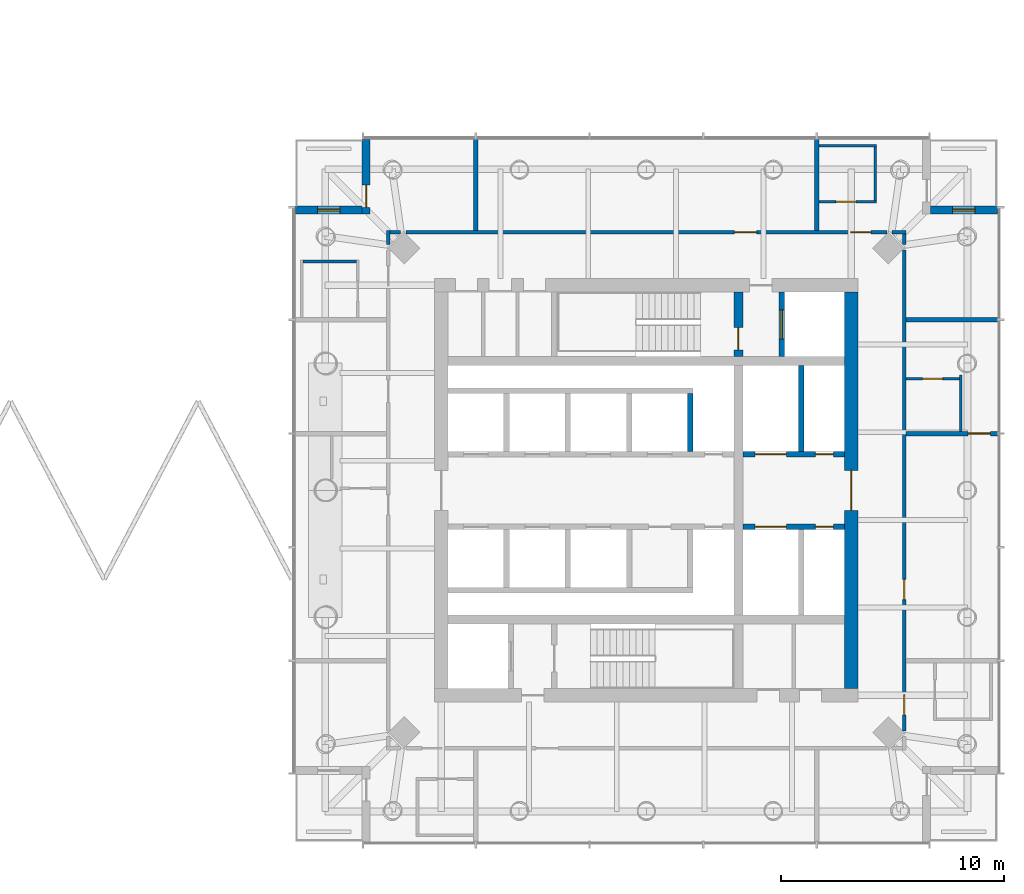
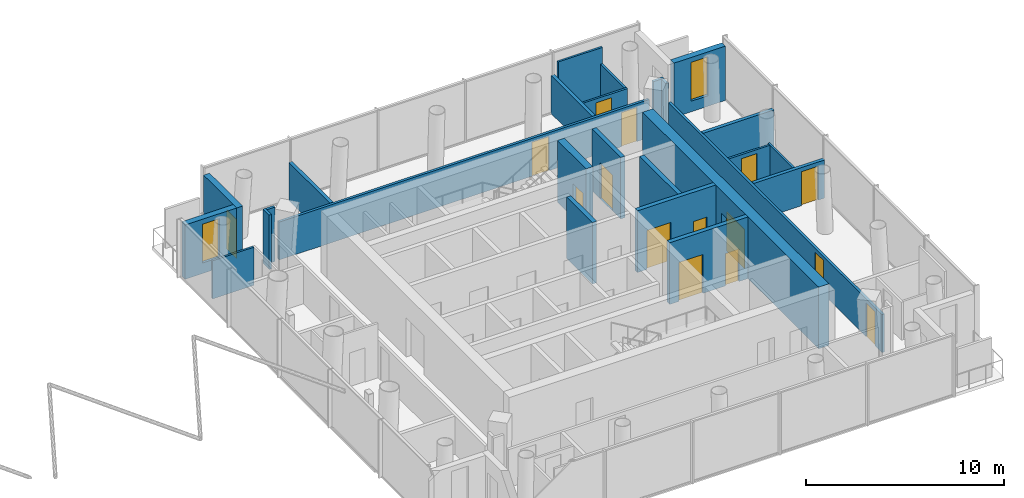
# One storey, part 15 of 19: 26 walls, 15 doors, 2 windows, 17 openings.
"""IFC4 building model written with IfcOpenShell, lengths in metres."""

import ifcopenshell
import ifcopenshell.guid

model = None  # the IFC model being written
_history = None  # IfcOwnerHistory: only IFC2X3 demands one
_inside = {}  # id of a spatial element -> (the spatial element, [elements in it])
_under = {}  # id of a project, library or spatial element -> (it, [spatial elements below it])
_declared = {}  # id of a project -> (the project, [libraries it declares])
_typed = {}  # id of a type object -> (the type object, [elements of that type])
_made_of = {}  # id of a material, layer set ... -> (it, [elements and type objects made of it])


def new_model(schema):
    """Start an empty IFC model of exactly this schema.

    Asked for "IFC4X3", IfcOpenShell would pick the latest addendum, in which some entities
    have other attributes; the version numbers below select the first issue.
    IFC2X3 requires an IfcOwnerHistory on every rooted entity: one is made here for all.
    """
    global model, _history
    if schema == "IFC4X3":
        model = ifcopenshell.file(schema_version=(4, 3, 0, 0))
    else:
        model = ifcopenshell.file(schema=schema)
    _inside.clear()
    _under.clear()
    _declared.clear()
    _typed.clear()
    _made_of.clear()
    _history = None
    if model.schema == "IFC2X3":
        org = make("IfcOrganization", Name="unknown")
        user = make(
            "IfcPersonAndOrganization",
            ThePerson=make("IfcPerson", FamilyName="unknown"),
            TheOrganization=org,
        )
        app = make(
            "IfcApplication",
            ApplicationDeveloper=org,
            Version="unknown",
            ApplicationFullName="unknown",
            ApplicationIdentifier="unknown",
        )
        _history = make(
            "IfcOwnerHistory",
            OwningUser=user,
            OwningApplication=app,
            ChangeAction="ADDED",
            CreationDate=0,
        )
    return model


def make(cls, **values):
    """One entity of the class cls with the attributes given. An attribute that is None is left unset."""
    return model.create_entity(
        cls, **{name: value for name, value in values.items() if value is not None}
    )


def rooted(cls, **values):
    """An entity with a GlobalId (a new one), such as an element, a storey or a relation."""
    return make(cls, GlobalId=ifcopenshell.guid.new(), OwnerHistory=_history, **values)


def si_unit(unit_type, name, prefix=None):
    """IfcSIUnit, for example si_unit("LENGTHUNIT", "METRE", prefix="MILLI")."""
    return make("IfcSIUnit", UnitType=unit_type, Prefix=prefix, Name=name)


def assignment(units):
    """IfcUnitAssignment: the units of a project."""
    return None if units is None else make("IfcUnitAssignment", Units=units)


def point(xyz):
    """IfcCartesianPoint."""
    return None if xyz is None else make("IfcCartesianPoint", Coordinates=xyz)


def direction(xyz):
    """IfcDirection."""
    return None if xyz is None else make("IfcDirection", DirectionRatios=xyz)


def frame(location, z_axis=None, x_axis=None):
    """IfcAxis2Placement3D, a coordinate frame: its origin and axes. An axis left out is left unset."""
    return make(
        "IfcAxis2Placement3D",
        Location=point(location),
        Axis=direction(z_axis),
        RefDirection=direction(x_axis),
    )


def frame_2d(location, x_axis=None):
    """IfcAxis2Placement2D, a coordinate frame in the plane: its origin and x axis."""
    return make(
        "IfcAxis2Placement2D", Location=point(location), RefDirection=direction(x_axis)
    )


def origin():
    """The frame at (0, 0, 0) with its axes left unset."""
    return frame((0.0, 0.0, 0.0))


def place(relative_to, where):
    """IfcLocalPlacement: puts the frame where relative to a parent placement (None: the world)."""
    return make(
        "IfcLocalPlacement", PlacementRelTo=relative_to, RelativePlacement=where
    )


def context(
    kind, dimensions, precision=None, world=None, true_north=None, identifier=None
):
    """IfcGeometricRepresentationContext, for example the 3D "Model" context."""
    return make(
        "IfcGeometricRepresentationContext",
        ContextIdentifier=identifier,
        ContextType=kind,
        CoordinateSpaceDimension=dimensions,
        Precision=precision,
        WorldCoordinateSystem=world,
        TrueNorth=true_north,
    )


def subcontext(parent, identifier, kind, view, scale=None):
    """IfcGeometricRepresentationSubContext, for example "Body" below "Model"."""
    return make(
        "IfcGeometricRepresentationSubContext",
        ContextIdentifier=identifier,
        ContextType=kind,
        ParentContext=parent,
        TargetScale=scale,
        TargetView=view,
    )


def project(units=None, contexts=None):
    """IfcProject with its units and contexts."""
    return rooted(
        "IfcProject",
        Name="project",
        RepresentationContexts=contexts,
        UnitsInContext=assignment(units),
    )


def spatial(cls, under=None, at=None, **own):
    """A site, building, storey or space (cls), placed at a placement, below another one or the project."""
    s = rooted(cls, ObjectPlacement=at, **own)
    if under is not None:
        _under.setdefault(under.id(), (under, []))[1].append(s)
    return s


def profile(cls, at=None, kind="AREA", **sizes):
    """A parametric profile (cls). Its sizes go by their IFC names, for example OverallWidth=200.0."""
    return make(cls, ProfileType=kind, Position=at, **sizes)


def rectangle(**sizes):
    """IfcRectangleProfileDef."""
    return profile("IfcRectangleProfileDef", **sizes)


def extrude(swept, where, along, depth):
    """IfcExtrudedAreaSolid: the profile swept, set in the frame where, extruded along a direction by depth."""
    return make(
        "IfcExtrudedAreaSolid",
        SweptArea=swept,
        Position=where,
        ExtrudedDirection=direction(along),
        Depth=depth,
    )


def shape(context_of_items, identifier, shape_type, items):
    """IfcShapeRepresentation: the items that make up one representation, for example the "Body"."""
    return make(
        "IfcShapeRepresentation",
        ContextOfItems=context_of_items,
        RepresentationIdentifier=identifier,
        RepresentationType=shape_type,
        Items=items,
    )


def material(Name=None, Category=None):
    """IfcMaterial."""
    return make("IfcMaterial", Name=Name, Category=Category)


def layer(
    of_material, thickness, ventilated=None, Name=None, Category=None, Priority=None
):
    """IfcMaterialLayer: one layer of a wall or slab, of a material (None: an air gap)."""
    return make(
        "IfcMaterialLayer",
        Material=of_material,
        LayerThickness=thickness,
        IsVentilated=ventilated,
        Name=Name,
        Category=Category,
        Priority=Priority,
    )


def layer_set(layers, Name=None):
    """IfcMaterialLayerSet."""
    return make("IfcMaterialLayerSet", MaterialLayers=layers, LayerSetName=Name)


def made_of(thing, what):
    """Note that an element or type object is made of a material, layer set ...; save() writes the relation."""
    if what is not None:
        _made_of.setdefault(what.id(), (what, []))[1].append(thing)
    return thing


def type_object(cls, material=None, **own):
    """A type object (cls), such as IfcWallType, which elements share."""
    return made_of(rooted(cls, **own), material)


def element(
    cls,
    number,
    at=None,
    inside=None,
    cuts=None,
    type_object=None,
    material=None,
    context=None,
    identifier="Body",
    shape_type=None,
    held_by="IfcProductDefinitionShape",
    body=None,
    shapes=None,
    **own,
):
    """One element of the class cls, such as IfcWall. Its Tag is "e" and its number.

    at: its placement. inside: the storey or other place that contains it. cuts: it is an
    opening in that element (IfcRelVoidsElement). A single representation is given by context,
    identifier, shape_type and body (its items); several are given by shapes. held_by: the class
    of the entity that holds the representations. save() writes the other relations.
    """
    e = rooted(cls, Tag="e%d" % number, ObjectPlacement=at, **own)
    if body is not None:
        shapes = [shape(context, identifier, shape_type, body)]
    if shapes is not None:
        e.Representation = make(held_by, Representations=shapes)
    if inside is not None:
        _inside.setdefault(inside.id(), (inside, []))[1].append(e)
    if cuts is not None:
        rooted(
            "IfcRelVoidsElement", RelatingBuildingElement=cuts, RelatedOpeningElement=e
        )
    if type_object is not None:
        _typed.setdefault(type_object.id(), (type_object, []))[1].append(e)
    return made_of(e, material)


def fill(opening, filler):
    """IfcRelFillsElement: the door or window that sits in an opening."""
    return rooted(
        "IfcRelFillsElement",
        RelatingOpeningElement=opening,
        RelatedBuildingElement=filler,
    )


def aggregate(whole, parts):
    """IfcRelAggregates: a whole, such as a stair, and the parts it consists of."""
    return rooted("IfcRelAggregates", RelatingObject=whole, RelatedObjects=parts)


def save(model, path):
    """Write the relations noted so far, then the file.

    IfcRelAggregates (storeys below a building ...), IfcRelContainedInSpatialStructure (elements
    in a storey), IfcRelDefinesByType, IfcRelAssociatesMaterial and IfcRelDeclares: one each for
    every whole, place, type object, material and project.
    """
    for whole, parts in _under.values():
        aggregate(whole, parts)
    for where, things in _inside.values():
        rooted(
            "IfcRelContainedInSpatialStructure",
            RelatedElements=things,
            RelatingStructure=where,
        )
    for kind, things in _typed.values():
        rooted("IfcRelDefinesByType", RelatedObjects=things, RelatingType=kind)
    for what, things in _made_of.values():
        rooted("IfcRelAssociatesMaterial", RelatedObjects=things, RelatingMaterial=what)
    for by, libraries in _declared.values():
        rooted("IfcRelDeclares", RelatingContext=by, RelatedDefinitions=libraries)
    model.write(path)


model = new_model("IFC4")

# Units and contexts
model_context = context("Model", 3, precision=1e-05, world=origin(), true_north=direction((0.0, 1.0)))
body_context = subcontext(model_context, "Body", "Model", "MODEL_VIEW")
ifc_project = project(units=[si_unit("LENGTHUNIT", "METRE"), si_unit("AREAUNIT", "SQUARE_METRE"), si_unit("VOLUMEUNIT", "CUBIC_METRE"), si_unit("PLANEANGLEUNIT", "RADIAN"), si_unit("MASSUNIT", "GRAM", prefix="KILO")], contexts=[model_context])

# Site, building, storey
site_placement = place(None, origin())
site = spatial("IfcSite", under=ifc_project, at=site_placement, CompositionType="ELEMENT")
building_placement = place(site_placement, origin())
building = spatial("IfcBuilding", under=site, at=building_placement, Name="Ostroluk Exchange", CompositionType="ELEMENT")
storey_placement = place(building_placement, frame((0.0, 0.0, 127.39990234375)))
storey = spatial("IfcBuildingStorey", under=building, at=storey_placement, Name="L32", CompositionType="ELEMENT", Elevation=127.39990234375)

# Wall, opening, door
ifc_material_1 = material(Name="Concrete C50/60", Category="concrete")
ifc_layer_1 = layer(ifc_material_1, 0.39990234375)
ifc_layer_set_1 = layer_set([ifc_layer_1], Name="Core cross wall 400 C50/60")
wall_type_1 = type_object("IfcWallType", Name="Core cross wall 400 C50/60", PredefinedType="SHEAR", material=ifc_layer_set_1)
wall_1_placement = place(storey_placement, frame((121.1298828125, 52.0, 0.0), z_axis=(0.0, 0.0, 1.0), x_axis=(0.0, 1.0, 0.0)))
wall_1 = element("IfcWall", 1, at=wall_1_placement, inside=storey, type_object=wall_type_1, Name="T2 core wall YE3", PredefinedType="SHEAR", context=body_context, shape_type="SweptSolid", body=[
    extrude(rectangle(XDim=2.89990234375, YDim=0.39990234375, at=frame_2d((1.449951171875, 0.0))), origin(), (0.0, 0.0, 1.0), 3.800048828125),
])
opening_1_placement = place(wall_1_placement, frame((0.300048828125, 0.0, 0.0)))
opening_1 = element("IfcOpeningElement", 2, at=opening_1_placement, cuts=wall_1, Name="Opening FD60", PredefinedType="OPENING", context=body_context, shape_type="SweptSolid", body=[
    extrude(rectangle(XDim=1.0, YDim=2.10009765625, at=frame_2d((0.5, 1.050048828125))), frame((0.0, 0.2099609375, 0.0), z_axis=(0.0, -1.0, 0.0), x_axis=(1.0, 0.0, 0.0)), (0.0, 0.0, 1.0), 0.419921875),
])
ifc_material_2 = material(Name="Steel", Category="steel")
door_type_1 = type_object("IfcDoorType", Name="Fire door EI 60 1000 x 2100", OperationType="SINGLE_SWING_LEFT", PredefinedType="DOOR", material=ifc_material_2)
door_1_placement = place(opening_1_placement, origin())
door_1 = element("IfcDoor", 3, at=door_1_placement, inside=storey, type_object=door_type_1, Name="Stair T2-S2 door", OperationType="SINGLE_SWING_LEFT", OverallHeight=2.10009765625, OverallWidth=1.0, PredefinedType="DOOR", context=body_context, shape_type="SweptSolid", body=[
    extrude(rectangle(XDim=1.0, YDim=2.10009765625, at=frame_2d((0.5, 1.050048828125))), frame((0.0, 0.02490234375, 0.0), z_axis=(0.0, -1.0, 0.0), x_axis=(1.0, 0.0, 0.0)), (0.0, 0.0, 1.0), 0.050048828125),
])
fill(opening_1, door_1)

ifc_material_3 = material(Name="Concrete C40/50", Category="concrete")
ifc_layer_2 = layer(ifc_material_3, 0.25)
ifc_layer_set_2 = layer_set([ifc_layer_2], Name="Core shaft wall 250")
wall_type_2 = type_object("IfcWallType", Name="Core shaft wall 250", PredefinedType="SHEAR", material=ifc_layer_set_2)
wall_2_placement = place(storey_placement, frame((123.074951171875, 52.0, 0.0), z_axis=(0.0, 0.0, 1.0), x_axis=(0.0, 1.0, 0.0)))
wall_2 = element("IfcWall", 4, at=wall_2_placement, inside=storey, type_object=wall_type_2, Name="Firefighting lift shaft wall", PredefinedType="SHEAR", context=body_context, shape_type="SweptSolid", body=[
    extrude(rectangle(XDim=2.89990234375, YDim=0.25, at=frame_2d((1.449951171875, 0.0))), origin(), (0.0, 0.0, 1.0), 3.800048828125),
])
opening_2_placement = place(wall_2_placement, frame((0.800048828125, 0.0, 0.0)))
opening_2 = element("IfcOpeningElement", 5, at=opening_2_placement, cuts=wall_2, Name="Opening LD2", PredefinedType="OPENING", context=body_context, shape_type="SweptSolid", body=[
    extrude(rectangle(XDim=1.300048828125, YDim=2.199951171875, at=frame_2d((0.64990234375, 1.10009765625))), frame((0.0, 0.135009765625, 0.0), z_axis=(0.0, -1.0, 0.0), x_axis=(1.0, 0.0, 0.0)), (0.0, 0.0, 1.0), 0.27001953125),
])
ifc_material_4 = material(Name="Stainless steel", Category="steel")
door_type_2 = type_object("IfcDoorType", Name="Lift landing door E 60 1300 x 2200", OperationType="DOUBLE_DOOR_SLIDING", PredefinedType="DOOR", material=ifc_material_4)
door_2_placement = place(opening_2_placement, origin())
door_2 = element("IfcDoor", 6, at=door_2_placement, inside=storey, type_object=door_type_2, Name="Lift HF2 landing door", OperationType="DOUBLE_DOOR_SLIDING", OverallHeight=2.199951171875, OverallWidth=1.300048828125, PredefinedType="DOOR", context=body_context, shape_type="SweptSolid", body=[
    extrude(rectangle(XDim=1.300048828125, YDim=2.199951171875, at=frame_2d((0.64990234375, 1.10009765625))), frame((0.0, 0.02490234375, 0.0), z_axis=(0.0, -1.0, 0.0), x_axis=(1.0, 0.0, 0.0)), (0.0, 0.0, 1.0), 0.050048828125),
])
fill(opening_2, door_2)

# Walls
wall_3_placement = place(storey_placement, frame((118.97509765625, 47.75, 0.0), z_axis=(0.0, 0.0, 1.0), x_axis=(0.0, 1.0, 0.0)))
element("IfcWall", 7, at=wall_3_placement, inside=storey, type_object=wall_type_2, Name="Lift shaft wall", PredefinedType="SHEAR", context=body_context, shape_type="SweptSolid", body=[
    extrude(rectangle(XDim=2.60009765625, YDim=0.25, at=frame_2d((1.300048828125, 0.0))), origin(), (0.0, 0.0, 1.0), 3.800048828125),
])
wall_4_placement = place(storey_placement, frame((123.955078125, 47.75, 0.0), z_axis=(0.0, 0.0, 1.0), x_axis=(0.0, 1.0, 0.0)))
element("IfcWall", 8, at=wall_4_placement, inside=storey, type_object=wall_type_2, Name="Lift shaft wall", PredefinedType="SHEAR", context=body_context, shape_type="SweptSolid", body=[
    extrude(rectangle(XDim=3.85009765625, YDim=0.25, at=frame_2d((1.925048828125, 0.0))), origin(), (0.0, 0.0, 1.0), 3.800048828125),
])

# Wall, openings, doors
wall_5_placement = place(storey_placement, frame((121.330078125, 47.625, 0.0), z_axis=(0.0, 0.0, 1.0), x_axis=(1.0, 0.0, 0.0)))
wall_5 = element("IfcWall", 9, at=wall_5_placement, inside=storey, type_object=wall_type_2, Name="Lift shaft front wall", PredefinedType="SHEAR", context=body_context, shape_type="SweptSolid", body=[
    extrude(rectangle(XDim=4.56982421875, YDim=0.25, at=frame_2d((2.284912109375, 0.0))), origin(), (0.0, 0.0, 1.0), 3.800048828125),
])
opening_3_placement = place(wall_5_placement, frame((0.550048828125, 0.0, 0.0)))
opening_3 = element("IfcOpeningElement", 10, at=opening_3_placement, cuts=wall_5, Name="Opening LD3", PredefinedType="OPENING", context=body_context, shape_type="SweptSolid", body=[
    extrude(rectangle(XDim=1.39990234375, YDim=2.39990234375, at=frame_2d((0.699951171875, 1.199951171875))), frame((0.0, 0.135009765625, 0.0), z_axis=(0.0, -1.0, 0.0), x_axis=(1.0, 0.0, 0.0)), (0.0, 0.0, 1.0), 0.27001953125),
])
opening_4_placement = place(wall_5_placement, frame((3.260009765625, 0.0, 0.0)))
opening_4 = element("IfcOpeningElement", 11, at=opening_4_placement, cuts=wall_5, Name="Opening RD60", PredefinedType="OPENING", context=body_context, shape_type="SweptSolid", body=[
    extrude(rectangle(XDim=0.800048828125, YDim=2.0, at=frame_2d((0.39990234375, 1.0))), frame((0.0, 0.135009765625, 0.0), z_axis=(0.0, -1.0, 0.0), x_axis=(1.0, 0.0, 0.0)), (0.0, 0.0, 1.0), 0.27001953125),
])
ifc_material_5 = material(Name="Stainless steel", Category="steel")
door_type_3 = type_object("IfcDoorType", Name="Goods lift landing door E 60 1400 x 2400", OperationType="DOUBLE_DOOR_SLIDING", PredefinedType="DOOR", material=ifc_material_5)
door_3_placement = place(opening_3_placement, origin())
door_3 = element("IfcDoor", 12, at=door_3_placement, inside=storey, type_object=door_type_3, Name="Lift HS1 landing door", OperationType="DOUBLE_DOOR_SLIDING", OverallHeight=2.39990234375, OverallWidth=1.39990234375, PredefinedType="DOOR", context=body_context, shape_type="SweptSolid", body=[
    extrude(rectangle(XDim=1.39990234375, YDim=2.39990234375, at=frame_2d((0.699951171875, 1.199951171875))), frame((0.0, 0.02490234375, 0.0), z_axis=(0.0, -1.0, 0.0), x_axis=(1.0, 0.0, 0.0)), (0.0, 0.0, 1.0), 0.050048828125),
])
fill(opening_3, door_3)
ifc_material_6 = material(Name="Steel", Category="steel")
door_type_4 = type_object("IfcDoorType", Name="Riser access door EI 60 800 x 2000", OperationType="SINGLE_SWING_LEFT", PredefinedType="DOOR", material=ifc_material_6)
door_4_placement = place(opening_4_placement, origin())
door_4 = element("IfcDoor", 13, at=door_4_placement, inside=storey, type_object=door_type_4, Name="Riser access door", OperationType="SINGLE_SWING_RIGHT", OverallHeight=2.0, OverallWidth=0.800048828125, PredefinedType="DOOR", context=body_context, shape_type="SweptSolid", body=[
    extrude(rectangle(XDim=0.800048828125, YDim=2.0, at=frame_2d((0.39990234375, 1.0))), frame((0.0, 0.02490234375, 0.0), z_axis=(0.0, -1.0, 0.0), x_axis=(1.0, 0.0, 0.0)), (0.0, 0.0, 1.0), 0.050048828125),
])
fill(opening_4, door_4)

wall_6_placement = place(storey_placement, frame((121.330078125, 44.375, 0.0), z_axis=(0.0, 0.0, 1.0), x_axis=(1.0, 0.0, 0.0)))
wall_6 = element("IfcWall", 14, at=wall_6_placement, inside=storey, type_object=wall_type_2, Name="Lift shaft front wall", PredefinedType="SHEAR", context=body_context, shape_type="SweptSolid", body=[
    extrude(rectangle(XDim=4.56982421875, YDim=0.25, at=frame_2d((2.284912109375, 0.0))), origin(), (0.0, 0.0, 1.0), 3.800048828125),
])
opening_5_placement = place(wall_6_placement, frame((0.550048828125, 0.0, 0.0)))
opening_5 = element("IfcOpeningElement", 15, at=opening_5_placement, cuts=wall_6, Name="Opening LD3", PredefinedType="OPENING", context=body_context, shape_type="SweptSolid", body=[
    extrude(rectangle(XDim=1.39990234375, YDim=2.39990234375, at=frame_2d((0.699951171875, 1.199951171875))), frame((0.0, 0.135009765625, 0.0), z_axis=(0.0, -1.0, 0.0), x_axis=(1.0, 0.0, 0.0)), (0.0, 0.0, 1.0), 0.27001953125),
])
opening_6_placement = place(wall_6_placement, frame((3.260009765625, 0.0, 0.0)))
opening_6 = element("IfcOpeningElement", 16, at=opening_6_placement, cuts=wall_6, Name="Opening RD60", PredefinedType="OPENING", context=body_context, shape_type="SweptSolid", body=[
    extrude(rectangle(XDim=0.800048828125, YDim=2.0, at=frame_2d((0.39990234375, 1.0))), frame((0.0, 0.135009765625, 0.0), z_axis=(0.0, -1.0, 0.0), x_axis=(1.0, 0.0, 0.0)), (0.0, 0.0, 1.0), 0.27001953125),
])
door_5_placement = place(opening_5_placement, origin())
door_5 = element("IfcDoor", 17, at=door_5_placement, inside=storey, type_object=door_type_3, Name="Lift HS2 landing door", OperationType="DOUBLE_DOOR_SLIDING", OverallHeight=2.39990234375, OverallWidth=1.39990234375, PredefinedType="DOOR", context=body_context, shape_type="SweptSolid", body=[
    extrude(rectangle(XDim=1.39990234375, YDim=2.39990234375, at=frame_2d((0.699951171875, 1.199951171875))), frame((0.0, 0.02490234375, 0.0), z_axis=(0.0, -1.0, 0.0), x_axis=(1.0, 0.0, 0.0)), (0.0, 0.0, 1.0), 0.050048828125),
])
fill(opening_5, door_5)
door_6_placement = place(opening_6_placement, origin())
door_6 = element("IfcDoor", 18, at=door_6_placement, inside=storey, type_object=door_type_4, Name="Riser access door", OperationType="SINGLE_SWING_RIGHT", OverallHeight=2.0, OverallWidth=0.800048828125, PredefinedType="DOOR", context=body_context, shape_type="SweptSolid", body=[
    extrude(rectangle(XDim=0.800048828125, YDim=2.0, at=frame_2d((0.39990234375, 1.0))), frame((0.0, 0.02490234375, 0.0), z_axis=(0.0, -1.0, 0.0), x_axis=(1.0, 0.0, 0.0)), (0.0, 0.0, 1.0), 0.050048828125),
])
fill(opening_6, door_6)

# Wall, opening, door
ifc_material_7 = material(Name="Concrete C50/60", Category="concrete")
ifc_layer_3 = layer(ifc_material_7, 0.60009765625)
ifc_layer_set_3 = layer_set([ifc_layer_3], Name="Core wall 600 C50/60")
wall_type_3 = type_object("IfcWallType", Name="Core wall 600 C50/60", PredefinedType="SHEAR", material=ifc_layer_set_3)
wall_7_placement = place(storey_placement, frame((126.199951171875, 37.10009765625, 0.0), z_axis=(0.0, 0.0, 1.0), x_axis=(0.0, 1.0, 0.0)))
wall_7 = element("IfcWall", 19, at=wall_7_placement, inside=storey, type_object=wall_type_3, Name="T2 core wall E", PredefinedType="SHEAR", context=body_context, shape_type="SweptSolid", body=[
    extrude(rectangle(XDim=17.7998046875, YDim=0.60009765625, at=frame_2d((8.89990234375, 0.0))), origin(), (0.0, 0.0, 1.0), 3.800048828125),
])
opening_7_placement = place(wall_7_placement, frame((8.0, 0.0, 0.0)))
opening_7 = element("IfcOpeningElement", 20, at=opening_7_placement, cuts=wall_7, Name="Opening FD30D", PredefinedType="OPENING", context=body_context, shape_type="SweptSolid", body=[
    extrude(rectangle(XDim=1.800048828125, YDim=2.39990234375, at=frame_2d((0.89990234375, 1.199951171875))), frame((0.0, 0.31005859375, 0.0), z_axis=(0.0, -1.0, 0.0), x_axis=(1.0, 0.0, 0.0)), (0.0, 0.0, 1.0), 0.6201171875),
])
ifc_material_8 = material(Name="Timber", Category="wood")
door_type_5 = type_object("IfcDoorType", Name="Lobby double door EI 30 1800 x 2400", OperationType="DOUBLE_DOOR_SINGLE_SWING", PredefinedType="DOOR", material=ifc_material_8)
door_7_placement = place(opening_7_placement, origin())
door_7 = element("IfcDoor", 21, at=door_7_placement, inside=storey, type_object=door_type_5, Name="Lift lobby doors", OperationType="DOUBLE_DOOR_SINGLE_SWING", OverallHeight=2.39990234375, OverallWidth=1.800048828125, PredefinedType="DOOR", context=body_context, shape_type="SweptSolid", body=[
    extrude(rectangle(XDim=1.800048828125, YDim=2.39990234375, at=frame_2d((0.89990234375, 1.199951171875))), frame((0.0, 0.02490234375, 0.0), z_axis=(0.0, -1.0, 0.0), x_axis=(1.0, 0.0, 0.0)), (0.0, 0.0, 1.0), 0.050048828125),
])
fill(opening_7, door_7)

# Wall, opening, window
ifc_material_9 = material(Name="Limestone", Category="masonry")
ifc_layer_4 = layer(ifc_material_9, 0.35009765625)
ifc_layer_set_4 = layer_set([ifc_layer_4], Name="Limestone facade wall 350")
wall_type_4 = type_object("IfcWallType", Name="Limestone facade wall 350", PredefinedType="SOLIDWALL", material=ifc_layer_set_4)
wall_8_placement = place(storey_placement, frame((129.75, 58.574951171875, 0.0), z_axis=(0.0, 0.0, 1.0), x_axis=(1.0, 0.0, 0.0)))
wall_8 = element("IfcWall", 22, at=wall_8_placement, inside=storey, type_object=wall_type_4, Name="Hotel tower NE corner wall L32 b", PredefinedType="SOLIDWALL", context=body_context, shape_type="SweptSolid", body=[
    extrude(rectangle(XDim=3.0, YDim=0.35009765625, at=frame_2d((1.5, 0.0))), origin(), (0.0, 0.0, 1.0), 3.35009765625),
])
opening_8_placement = place(wall_8_placement, frame((1.0, 0.0, 0.64990234375)))
opening_8 = element("IfcOpeningElement", 23, at=opening_8_placement, cuts=wall_8, Name="Opening WN-L3", PredefinedType="OPENING", context=body_context, shape_type="SweptSolid", body=[
    extrude(rectangle(XDim=1.0, YDim=2.39990234375, at=frame_2d((0.5, 1.199951171875))), frame((0.0, 0.18505859375, 0.0), z_axis=(0.0, -1.0, 0.0), x_axis=(1.0, 0.0, 0.0)), (0.0, 0.0, 1.0), 0.3701171875),
])
ifc_material_10 = material(Name="Laminated clear glass", Category="glass")
window_type = type_object("IfcWindowType", Name="Hotel lancet window 1000 x 2400", PartitioningType="SINGLE_PANEL", PredefinedType="WINDOW", material=ifc_material_10)
window_1_placement = place(opening_8_placement, origin())
window_1 = element("IfcWindow", 24, at=window_1_placement, inside=storey, type_object=window_type, Name="Hotel tower NE lancet window L32", OverallHeight=2.39990234375, OverallWidth=1.0, PartitioningType="SINGLE_PANEL", PredefinedType="WINDOW", context=body_context, shape_type="SweptSolid", body=[
    extrude(rectangle(XDim=1.0, YDim=2.39990234375, at=frame_2d((0.5, 1.199951171875))), frame((0.0, 0.030029296875, 0.0), z_axis=(0.0, -1.0, 0.0), x_axis=(1.0, 0.0, 0.0)), (0.0, 0.0, 1.0), 0.06005859375),
])
fill(opening_8, window_1)

# Wall, opening, door
wall_9_placement = place(storey_placement, frame((104.425048828125, 61.75, 0.0), z_axis=(0.0, 0.0, 1.0), x_axis=(0.0, -1.0, 0.0)))
wall_9 = element("IfcWall", 25, at=wall_9_placement, inside=storey, type_object=wall_type_4, Name="Hotel tower NW corner wall L32 a", PredefinedType="SOLIDWALL", context=body_context, shape_type="SweptSolid", body=[
    extrude(rectangle(XDim=3.35009765625, YDim=0.35009765625, at=frame_2d((1.675048828125, 0.0))), origin(), (0.0, 0.0, 1.0), 3.35009765625),
])
opening_9_placement = place(wall_9_placement, frame((2.050048828125, 0.0, 0.0)))
opening_9 = element("IfcOpeningElement", 26, at=opening_9_placement, cuts=wall_9, Name="Opening D-B1", PredefinedType="OPENING", context=body_context, shape_type="SweptSolid", body=[
    extrude(rectangle(XDim=1.0, YDim=2.39990234375, at=frame_2d((0.5, 1.199951171875))), frame((0.0, 0.18505859375, 0.0), z_axis=(0.0, -1.0, 0.0), x_axis=(1.0, 0.0, 0.0)), (0.0, 0.0, 1.0), 0.3701171875),
])
ifc_material_11 = material(Name="Bronze framed glazed door", Category="aluminium")
door_type_6 = type_object("IfcDoorType", Name="Balcony door 1000 x 2400", OperationType="SINGLE_SWING_LEFT", PredefinedType="DOOR", material=ifc_material_11)
door_8_placement = place(opening_9_placement, origin())
door_8 = element("IfcDoor", 27, at=door_8_placement, inside=storey, type_object=door_type_6, Name="Hotel tower NW balcony door L32", OperationType="SINGLE_SWING_RIGHT", OverallHeight=2.39990234375, OverallWidth=1.0, PredefinedType="DOOR", context=body_context, shape_type="SweptSolid", body=[
    extrude(rectangle(XDim=1.0, YDim=2.39990234375, at=frame_2d((0.5, 1.199951171875))), frame((0.0, 0.02490234375, 0.0), z_axis=(0.0, -1.0, 0.0), x_axis=(1.0, 0.0, 0.0)), (0.0, 0.0, 1.0), 0.050048828125),
])
fill(opening_9, door_8)

# Wall, opening, window
wall_10_placement = place(storey_placement, frame((104.25, 58.574951171875, 0.0), z_axis=(0.0, 0.0, 1.0), x_axis=(-1.0, 0.0, 0.0)))
wall_10 = element("IfcWall", 28, at=wall_10_placement, inside=storey, type_object=wall_type_4, Name="Hotel tower NW corner wall L32 b", PredefinedType="SOLIDWALL", context=body_context, shape_type="SweptSolid", body=[
    extrude(rectangle(XDim=3.0, YDim=0.35009765625, at=frame_2d((1.5, 0.0))), origin(), (0.0, 0.0, 1.0), 3.35009765625),
])
opening_10_placement = place(wall_10_placement, frame((1.0, 0.0, 0.64990234375)))
opening_10 = element("IfcOpeningElement", 29, at=opening_10_placement, cuts=wall_10, Name="Opening WN-L3", PredefinedType="OPENING", context=body_context, shape_type="SweptSolid", body=[
    extrude(rectangle(XDim=1.0, YDim=2.39990234375, at=frame_2d((0.5, 1.199951171875))), frame((0.0, 0.18505859375, 0.0), z_axis=(0.0, -1.0, 0.0), x_axis=(1.0, 0.0, 0.0)), (0.0, 0.0, 1.0), 0.3701171875),
])
window_2_placement = place(opening_10_placement, origin())
window_2 = element("IfcWindow", 30, at=window_2_placement, inside=storey, type_object=window_type, Name="Hotel tower NW lancet window L32", OverallHeight=2.39990234375, OverallWidth=1.0, PartitioningType="SINGLE_PANEL", PredefinedType="WINDOW", context=body_context, shape_type="SweptSolid", body=[
    extrude(rectangle(XDim=1.0, YDim=2.39990234375, at=frame_2d((0.5, 1.199951171875))), frame((0.0, 0.030029296875, 0.0), z_axis=(0.0, -1.0, 0.0), x_axis=(1.0, 0.0, 0.0)), (0.0, 0.0, 1.0), 0.06005859375),
])
fill(opening_10, window_2)

# Wall
ifc_material_12 = material(Name="Gypsum plasterboard partition, moisture resistant", Category="gypsum")
ifc_layer_5 = layer(ifc_material_12, 0.1201171875)
ifc_layer_set_5 = layer_set([ifc_layer_5], Name="Plasterboard en-suite wall 120")
wall_type_5 = type_object("IfcWallType", Name="Plasterboard en-suite wall 120", PredefinedType="PARTITIONING", material=ifc_layer_set_5)
wall_11_placement = place(storey_placement, frame((131.110107421875, 48.64990234375, 0.0), z_axis=(0.0, 0.0, 1.0), x_axis=(0.0, 1.0, 0.0)))
element("IfcWall", 31, at=wall_11_placement, inside=storey, type_object=wall_type_5, Name="En-suite wall", PredefinedType="PARTITIONING", context=body_context, shape_type="SweptSolid", body=[
    extrude(rectangle(XDim=2.52001953125, YDim=0.1201171875, at=frame_2d((1.260009765625, 0.0))), origin(), (0.0, 0.0, 1.0), 2.35009765625),
])

# Wall, opening, door
wall_12_placement = place(storey_placement, frame((128.64990234375, 51.010009765625, 0.0), z_axis=(0.0, 0.0, 1.0), x_axis=(1.0, 0.0, 0.0)))
wall_12 = element("IfcWall", 32, at=wall_12_placement, inside=storey, type_object=wall_type_5, Name="En-suite wall", PredefinedType="PARTITIONING", context=body_context, shape_type="SweptSolid", body=[
    extrude(rectangle(XDim=2.400146484375, YDim=0.1201171875, at=frame_2d((1.2001953125, 0.0))), origin(), (0.0, 0.0, 1.0), 2.35009765625),
])
opening_11_placement = place(wall_12_placement, frame((0.75, 0.0, 0.0)))
opening_11 = element("IfcOpeningElement", 33, at=opening_11_placement, cuts=wall_12, Name="Opening D-02", PredefinedType="OPENING", context=body_context, shape_type="SweptSolid", body=[
    extrude(rectangle(XDim=0.89990234375, YDim=2.10009765625, at=frame_2d((0.449951171875, 1.050048828125))), frame((0.0, 0.070068359375, 0.0), z_axis=(0.0, -1.0, 0.0), x_axis=(1.0, 0.0, 0.0)), (0.0, 0.0, 1.0), 0.14013671875),
])
ifc_material_13 = material(Name="Timber", Category="wood")
door_type_7 = type_object("IfcDoorType", Name="En-suite door 900 x 2100", OperationType="SINGLE_SWING_LEFT", PredefinedType="DOOR", material=ifc_material_13)
door_9_placement = place(opening_11_placement, origin())
door_9 = element("IfcDoor", 34, at=door_9_placement, inside=storey, type_object=door_type_7, Name="En-suite door 3203", OperationType="SINGLE_SWING_LEFT", OverallHeight=2.10009765625, OverallWidth=0.89990234375, PredefinedType="DOOR", context=body_context, shape_type="SweptSolid", body=[
    extrude(rectangle(XDim=0.89990234375, YDim=2.10009765625, at=frame_2d((0.449951171875, 1.050048828125))), frame((0.0, 0.02490234375, 0.0), z_axis=(0.0, -1.0, 0.0), x_axis=(1.0, 0.0, 0.0)), (0.0, 0.0, 1.0), 0.050048828125),
])
fill(opening_11, door_9)

wall_13_placement = place(storey_placement, frame((124.75, 58.949951171875, 0.0), z_axis=(0.0, 0.0, 1.0), x_axis=(1.0, 0.0, 0.0)))
wall_13 = element("IfcWall", 35, at=wall_13_placement, inside=storey, type_object=wall_type_5, Name="En-suite wall", PredefinedType="PARTITIONING", context=body_context, shape_type="SweptSolid", body=[
    extrude(rectangle(XDim=2.580078125, YDim=0.1201171875, at=frame_2d((1.2900390625, 0.0))), origin(), (0.0, 0.0, 1.0), 2.338134765625),
])
opening_12_placement = place(wall_13_placement, frame((0.75, 0.0, 0.0)))
opening_12 = element("IfcOpeningElement", 36, at=opening_12_placement, cuts=wall_13, Name="Opening D-02", PredefinedType="OPENING", context=body_context, shape_type="SweptSolid", body=[
    extrude(rectangle(XDim=0.89990234375, YDim=2.10009765625, at=frame_2d((0.449951171875, 1.050048828125))), frame((0.0, 0.070068359375, 0.0), z_axis=(0.0, -1.0, 0.0), x_axis=(1.0, 0.0, 0.0)), (0.0, 0.0, 1.0), 0.14013671875),
])
door_10_placement = place(opening_12_placement, origin())
door_10 = element("IfcDoor", 37, at=door_10_placement, inside=storey, type_object=door_type_7, Name="En-suite door 3204", OperationType="SINGLE_SWING_LEFT", OverallHeight=2.10009765625, OverallWidth=0.89990234375, PredefinedType="DOOR", context=body_context, shape_type="SweptSolid", body=[
    extrude(rectangle(XDim=0.89990234375, YDim=2.10009765625, at=frame_2d((0.449951171875, 1.050048828125))), frame((0.0, 0.02490234375, 0.0), z_axis=(0.0, -1.0, 0.0), x_axis=(1.0, 0.0, 0.0)), (0.0, 0.0, 1.0), 0.050048828125),
])
fill(opening_12, door_10)

# Walls
wall_14_placement = place(storey_placement, frame((124.75, 61.469970703125, 0.0), z_axis=(0.0, 0.0, 1.0), x_axis=(1.0, 0.0, 0.0)))
element("IfcWall", 38, at=wall_14_placement, inside=storey, type_object=wall_type_5, Name="En-suite wall", PredefinedType="PARTITIONING", context=body_context, shape_type="SweptSolid", body=[
    extrude(rectangle(XDim=2.580078125, YDim=0.1201171875, at=frame_2d((1.2900390625, 0.0))), origin(), (0.0, 0.0, 1.0), 3.35009765625),
])
for number, where, z_axis, x_axis, name in (
    (39, (127.27001953125, 59.010009765625, 0.0), (0.0, 0.0, 1.0), (0.0, 1.0, 0.0), "En-suite wall"),
    (40, (103.989990234375, 56.27001953125, 0.0), (0.0, 0.0, 1.0), (-1.0, 0.0, 0.0), "En-suite wall"),
):
    element("IfcWall", number, at=place(storey_placement, frame(where, z_axis=z_axis, x_axis=x_axis)), inside=storey, type_object=wall_type_5, Name=name, PredefinedType="PARTITIONING", context=body_context, shape_type="SweptSolid", body=[
        extrude(rectangle(XDim=2.39990234375, YDim=0.1201171875, at=frame_2d((1.199951171875, 0.0))), origin(), (0.0, 0.0, 1.0), 2.35009765625),
    ])

# Wall, openings, doors
ifc_material_14 = material(Name="Gypsum plasterboard partition", Category="gypsum")
ifc_layer_6 = layer(ifc_material_14, 0.14990234375)
ifc_layer_set_6 = layer_set([ifc_layer_6], Name="Plasterboard partition 150")
wall_type_6 = type_object("IfcWallType", Name="Plasterboard partition 150", PredefinedType="PARTITIONING", material=ifc_layer_set_6)
wall_15_placement = place(storey_placement, frame((128.574951171875, 35.20703125, 0.0), z_axis=(0.0, 0.0, 1.0), x_axis=(0.0, 1.0, 0.0)))
wall_15 = element("IfcWall", 41, at=wall_15_placement, inside=storey, type_object=wall_type_6, Name="Corridor wall", PredefinedType="PARTITIONING", context=body_context, shape_type="SweptSolid", body=[
    extrude(rectangle(XDim=21.5859375, YDim=0.14990234375, at=frame_2d((10.79296875, 0.0))), origin(), (0.0, 0.0, 1.0), 2.338134765625),
])
opening_13_placement = place(wall_15_placement, frame((0.7177734375, 0.0, 0.0)))
opening_13 = element("IfcOpeningElement", 42, at=opening_13_placement, cuts=wall_15, Name="Opening D-01", PredefinedType="OPENING", context=body_context, shape_type="SweptSolid", body=[
    extrude(rectangle(XDim=0.89990234375, YDim=2.10009765625, at=frame_2d((0.449951171875, 1.050048828125))), frame((0.0, 0.0849609375, 0.0), z_axis=(0.0, -1.0, 0.0), x_axis=(1.0, 0.0, 0.0)), (0.0, 0.0, 1.0), 0.169921875),
])
opening_14_placement = place(wall_15_placement, frame((5.892822265625, 0.0, 0.0)))
opening_14 = element("IfcOpeningElement", 43, at=opening_14_placement, cuts=wall_15, Name="Opening D-01", PredefinedType="OPENING", context=body_context, shape_type="SweptSolid", body=[
    extrude(rectangle(XDim=0.89990234375, YDim=2.10009765625, at=frame_2d((0.449951171875, 1.050048828125))), frame((0.0, 0.0849609375, 0.0), z_axis=(0.0, -1.0, 0.0), x_axis=(1.0, 0.0, 0.0)), (0.0, 0.0, 1.0), 0.169921875),
])
ifc_material_15 = material(Name="Timber", Category="wood")
door_type_8 = type_object("IfcDoorType", Name="Hotel room door EI 30 Sa 900 x 2100", OperationType="SINGLE_SWING_LEFT", PredefinedType="DOOR", material=ifc_material_15)
door_11_placement = place(opening_13_placement, origin())
door_11 = element("IfcDoor", 44, at=door_11_placement, inside=storey, type_object=door_type_8, Name="Room door 3201", OperationType="SINGLE_SWING_RIGHT", OverallHeight=2.10009765625, OverallWidth=0.89990234375, PredefinedType="DOOR", context=body_context, shape_type="SweptSolid", body=[
    extrude(rectangle(XDim=0.89990234375, YDim=2.10009765625, at=frame_2d((0.449951171875, 1.050048828125))), frame((0.0, 0.02490234375, 0.0), z_axis=(0.0, -1.0, 0.0), x_axis=(1.0, 0.0, 0.0)), (0.0, 0.0, 1.0), 0.050048828125),
])
fill(opening_13, door_11)
door_12_placement = place(opening_14_placement, origin())
door_12 = element("IfcDoor", 45, at=door_12_placement, inside=storey, type_object=door_type_8, Name="Room door 3202", OperationType="SINGLE_SWING_LEFT", OverallHeight=2.10009765625, OverallWidth=0.89990234375, PredefinedType="DOOR", context=body_context, shape_type="SweptSolid", body=[
    extrude(rectangle(XDim=0.89990234375, YDim=2.10009765625, at=frame_2d((0.449951171875, 1.050048828125))), frame((0.0, 0.02490234375, 0.0), z_axis=(0.0, -1.0, 0.0), x_axis=(1.0, 0.0, 0.0)), (0.0, 0.0, 1.0), 0.050048828125),
])
fill(opening_14, door_12)

# Walls
wall_16_placement = place(storey_placement, frame((128.574951171875, 57.03466796875, 0.0), z_axis=(0.0, 0.0, 1.0), x_axis=(0.0, 1.0, 0.0)))
element("IfcWall", 46, at=wall_16_placement, inside=storey, type_object=wall_type_6, Name="Corridor wall", PredefinedType="PARTITIONING", context=body_context, shape_type="SweptSolid", body=[
    extrude(rectangle(XDim=0.46533203125, YDim=0.14990234375, at=frame_2d((0.232666015625, 0.0))), origin(), (0.0, 0.0, 1.0), 3.35009765625),
])
wall_17_placement = place(storey_placement, frame((128.64990234375, 57.574951171875, 0.0), z_axis=(0.0, 0.0, 1.0), x_axis=(-1.0, 0.0, 0.0)))
element("IfcWall", 47, at=wall_17_placement, inside=storey, type_object=wall_type_6, Name="Corridor wall", PredefinedType="PARTITIONING", context=body_context, shape_type="SweptSolid", body=[
    extrude(rectangle(XDim=0.615234375, YDim=0.14990234375, at=frame_2d((0.3076171875, 0.0))), origin(), (0.0, 0.0, 1.0), 3.35009765625),
])

# Wall, openings, doors
wall_18_placement = place(storey_placement, frame((127.79296875, 57.574951171875, 0.0), z_axis=(0.0, 0.0, 1.0), x_axis=(-1.0, 0.0, 0.0)))
wall_18 = element("IfcWall", 48, at=wall_18_placement, inside=storey, type_object=wall_type_6, Name="Corridor wall", PredefinedType="PARTITIONING", context=body_context, shape_type="SweptSolid", body=[
    extrude(rectangle(XDim=21.5859375, YDim=0.14990234375, at=frame_2d((10.79296875, 0.0))), origin(), (0.0, 0.0, 1.0), 2.338134765625),
])
opening_15_placement = place(wall_18_placement, frame((0.7177734375, 0.0, 0.0)))
opening_15 = element("IfcOpeningElement", 49, at=opening_15_placement, cuts=wall_18, Name="Opening D-01", PredefinedType="OPENING", context=body_context, shape_type="SweptSolid", body=[
    extrude(rectangle(XDim=0.89990234375, YDim=2.10009765625, at=frame_2d((0.449951171875, 1.050048828125))), frame((0.0, 0.0849609375, 0.0), z_axis=(0.0, -1.0, 0.0), x_axis=(1.0, 0.0, 0.0)), (0.0, 0.0, 1.0), 0.169921875),
])
opening_16_placement = place(wall_18_placement, frame((5.8427734375, 0.0, 0.0)))
opening_16 = element("IfcOpeningElement", 50, at=opening_16_placement, cuts=wall_18, Name="Opening D-03", PredefinedType="OPENING", context=body_context, shape_type="SweptSolid", body=[
    extrude(rectangle(XDim=1.0, YDim=2.10009765625, at=frame_2d((0.5, 1.050048828125))), frame((0.0, 0.0849609375, 0.0), z_axis=(0.0, -1.0, 0.0), x_axis=(1.0, 0.0, 0.0)), (0.0, 0.0, 1.0), 0.169921875),
])
door_13_placement = place(opening_15_placement, origin())
door_13 = element("IfcDoor", 51, at=door_13_placement, inside=storey, type_object=door_type_8, Name="Room door 3204", OperationType="SINGLE_SWING_RIGHT", OverallHeight=2.10009765625, OverallWidth=0.89990234375, PredefinedType="DOOR", context=body_context, shape_type="SweptSolid", body=[
    extrude(rectangle(XDim=0.89990234375, YDim=2.10009765625, at=frame_2d((0.449951171875, 1.050048828125))), frame((0.0, 0.02490234375, 0.0), z_axis=(0.0, -1.0, 0.0), x_axis=(1.0, 0.0, 0.0)), (0.0, 0.0, 1.0), 0.050048828125),
])
fill(opening_15, door_13)
ifc_material_16 = material(Name="Timber", Category="wood")
door_type_9 = type_object("IfcDoorType", Name="Internal door 1000 x 2100", OperationType="SINGLE_SWING_LEFT", PredefinedType="DOOR", material=ifc_material_16)
door_14_placement = place(opening_16_placement, origin())
door_14 = element("IfcDoor", 52, at=door_14_placement, inside=storey, type_object=door_type_9, Name="Guest lounge door", OperationType="SINGLE_SWING_LEFT", OverallHeight=2.10009765625, OverallWidth=1.0, PredefinedType="DOOR", context=body_context, shape_type="SweptSolid", body=[
    extrude(rectangle(XDim=1.0, YDim=2.10009765625, at=frame_2d((0.5, 1.050048828125))), frame((0.0, 0.02490234375, 0.0), z_axis=(0.0, -1.0, 0.0), x_axis=(1.0, 0.0, 0.0)), (0.0, 0.0, 1.0), 0.050048828125),
])
fill(opening_16, door_14)

# Walls
wall_19_placement = place(storey_placement, frame((105.96533203125, 57.574951171875, 0.0), z_axis=(0.0, 0.0, 1.0), x_axis=(-1.0, 0.0, 0.0)))
element("IfcWall", 53, at=wall_19_placement, inside=storey, type_object=wall_type_6, Name="Corridor wall", PredefinedType="PARTITIONING", context=body_context, shape_type="SweptSolid", body=[
    extrude(rectangle(XDim=0.46533203125, YDim=0.14990234375, at=frame_2d((0.232666015625, 0.0))), origin(), (0.0, 0.0, 1.0), 3.35009765625),
])
wall_20_placement = place(storey_placement, frame((105.425048828125, 57.64990234375, 0.0), z_axis=(0.0, 0.0, 1.0), x_axis=(0.0, -1.0, 0.0)))
element("IfcWall", 54, at=wall_20_placement, inside=storey, type_object=wall_type_6, Name="Corridor wall", PredefinedType="PARTITIONING", context=body_context, shape_type="SweptSolid", body=[
    extrude(rectangle(XDim=0.615234375, YDim=0.14990234375, at=frame_2d((0.3076171875, 0.0))), origin(), (0.0, 0.0, 1.0), 3.35009765625),
])

# Wall, opening, door
ifc_material_17 = material(Name="Gypsum plasterboard partition", Category="gypsum")
ifc_layer_7 = layer(ifc_material_17, 0.199951171875)
ifc_layer_set_7 = layer_set([ifc_layer_7], Name="Plasterboard party wall 200")
wall_type_7 = type_object("IfcWallType", Name="Plasterboard party wall 200", PredefinedType="PARTITIONING", material=ifc_layer_set_7)
wall_21_placement = place(storey_placement, frame((128.64990234375, 48.550048828125, 0.0), z_axis=(0.0, 0.0, 1.0), x_axis=(1.0, 0.0, 0.0)))
wall_21 = element("IfcWall", 55, at=wall_21_placement, inside=storey, type_object=wall_type_7, Name="Party wall", PredefinedType="PARTITIONING", context=body_context, shape_type="SweptSolid", body=[
    extrude(rectangle(XDim=4.14013671875, YDim=0.199951171875, at=frame_2d((2.070068359375, 0.0))), origin(), (0.0, 0.0, 1.0), 2.35009765625),
])
opening_17_placement = place(wall_21_placement, frame((2.784912109375, 0.0, 0.0)))
opening_17 = element("IfcOpeningElement", 56, at=opening_17_placement, cuts=wall_21, Name="Opening FD60", PredefinedType="OPENING", context=body_context, shape_type="SweptSolid", body=[
    extrude(rectangle(XDim=1.0, YDim=2.10009765625, at=frame_2d((0.5, 1.050048828125))), frame((0.0, 0.10986328125, 0.0), z_axis=(0.0, -1.0, 0.0), x_axis=(1.0, 0.0, 0.0)), (0.0, 0.0, 1.0), 0.219970703125),
])
door_15_placement = place(opening_17_placement, origin())
door_15 = element("IfcDoor", 57, at=door_15_placement, inside=storey, type_object=door_type_1, Name="Suite door 3203", OperationType="SINGLE_SWING_RIGHT", OverallHeight=2.10009765625, OverallWidth=1.0, PredefinedType="DOOR", context=body_context, shape_type="SweptSolid", body=[
    extrude(rectangle(XDim=1.0, YDim=2.10009765625, at=frame_2d((0.5, 1.050048828125))), frame((0.0, 0.02490234375, 0.0), z_axis=(0.0, -1.0, 0.0), x_axis=(1.0, 0.0, 0.0)), (0.0, 0.0, 1.0), 0.050048828125),
])
fill(opening_17, door_15)

# Walls
for number, where, z_axis, x_axis, name in (
    (58, (128.64990234375, 53.64990234375, 0.0), (0.0, 0.0, 1.0), (1.0, 0.0, 0.0), "Party wall"),
    (59, (124.64990234375, 57.64990234375, 0.0), (0.0, 0.0, 1.0), (0.0, 1.0, 0.0), "Party wall"),
    (60, (109.35009765625, 57.64990234375, 0.0), (0.0, 0.0, 1.0), (0.0, 1.0, 0.0), "Party wall"),
):
    element("IfcWall", number, at=place(storey_placement, frame(where, z_axis=z_axis, x_axis=x_axis)), inside=storey, type_object=wall_type_7, Name=name, PredefinedType="PARTITIONING", context=body_context, shape_type="SweptSolid", body=[
        extrude(rectangle(XDim=4.14013671875, YDim=0.199951171875, at=frame_2d((2.070068359375, 0.0))), origin(), (0.0, 0.0, 1.0), 2.35009765625),
    ])

save(model, "model.ifc")
